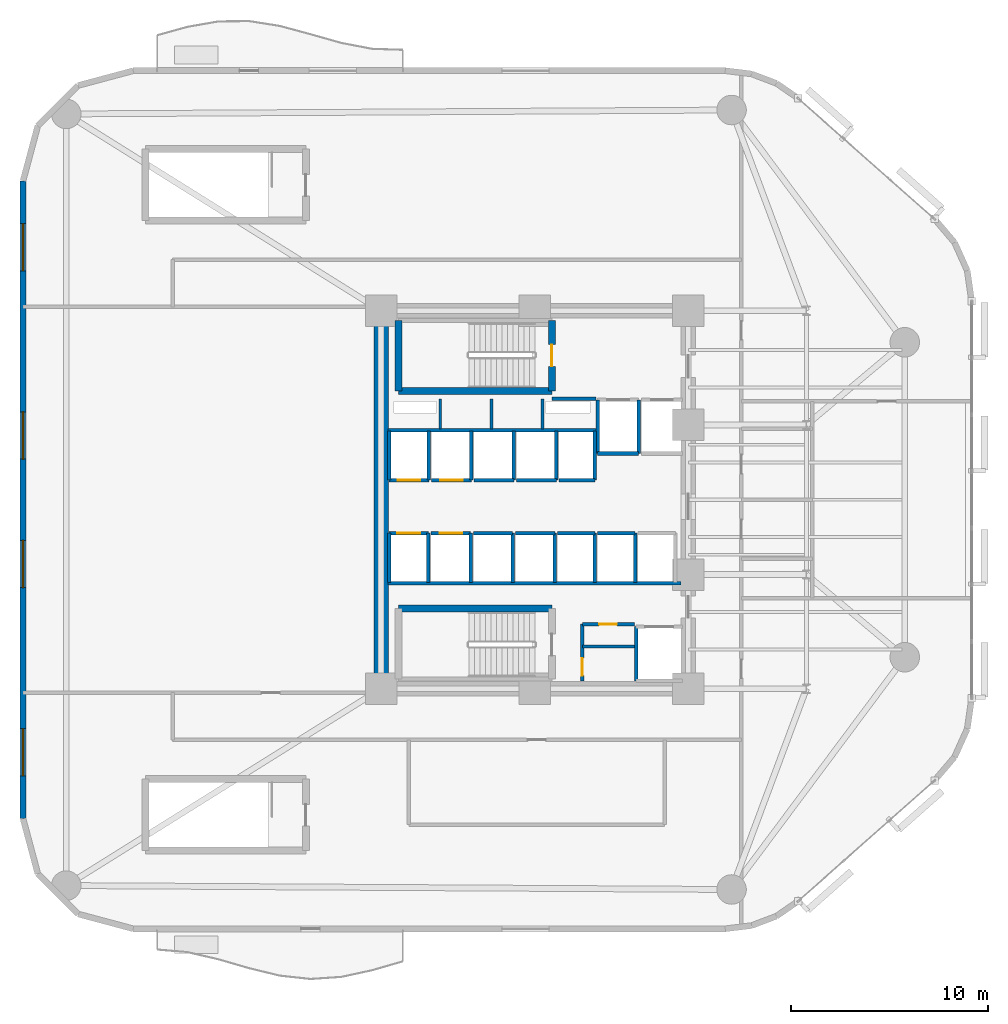
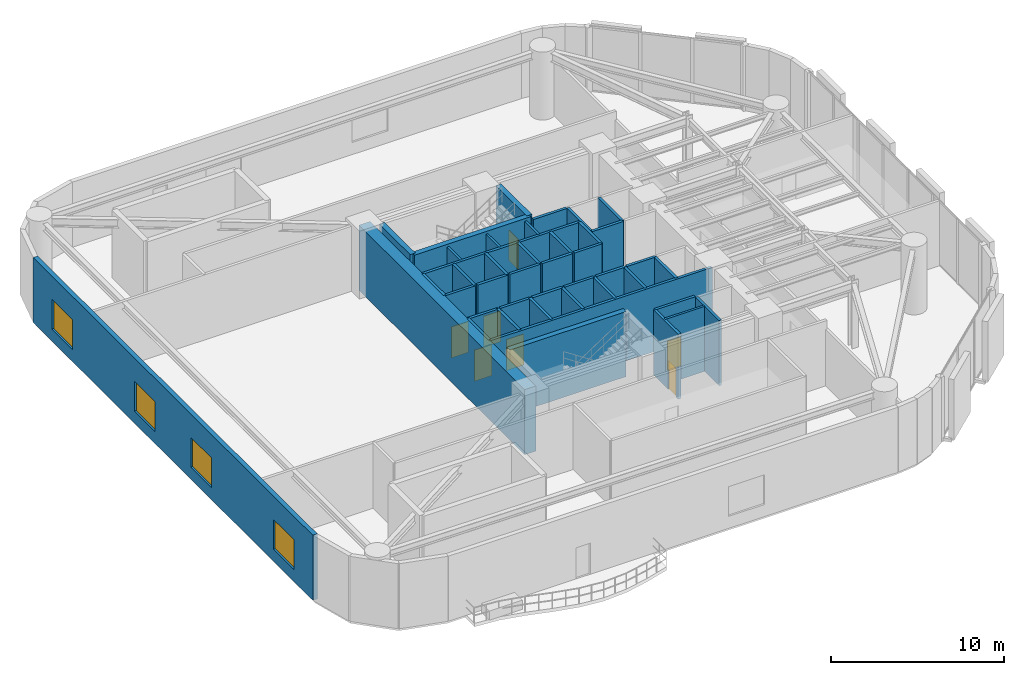
# One storey, part 9 of 13: 43 walls, 7 doors, 4 windows, 11 openings.
"""IFC4 building model written with IfcOpenShell, lengths in metres."""

from ifc_helpers import new_model, si_unit, direction, frame, frame_2d, origin, place, context, subcontext, project, spatial, rectangle, extrude, material, layer, layer_set, type_object, element, fill, save


model = new_model("IFC4")

# Units and contexts
model_context = context("Model", 3, precision=1e-05, world=origin(), true_north=direction((0.0, 1.0)))
body_context = subcontext(model_context, "Body", "Model", "MODEL_VIEW")
ifc_project = project(units=[si_unit("LENGTHUNIT", "METRE"), si_unit("AREAUNIT", "SQUARE_METRE"), si_unit("VOLUMEUNIT", "CUBIC_METRE"), si_unit("PLANEANGLEUNIT", "RADIAN"), si_unit("MASSUNIT", "GRAM", prefix="KILO")], contexts=[model_context])

# Site, building, storey
site_placement = place(None, origin())
site = spatial("IfcSite", under=ifc_project, at=site_placement, CompositionType="ELEMENT")
building_placement = place(site_placement, origin())
building = spatial("IfcBuilding", under=site, at=building_placement, Name="An Khanh Terracotta Commons", CompositionType="ELEMENT")
storey_placement = place(building_placement, frame((0.0, 0.0, 24.0)))
storey = spatial("IfcBuildingStorey", under=building, at=storey_placement, Name="L06", CompositionType="ELEMENT", Elevation=24.0)

# Walls
ifc_material_1 = material(Name="Concrete C70/85", Category="concrete")
ifc_layer_1 = layer(ifc_material_1, 0.75, Name="Concrete C70/85")
ifc_layer_set_1 = layer_set([ifc_layer_1], Name="Concrete C70/85")
wall_type_1 = type_object("IfcWallType", Name="WALL-CORE-750", PredefinedType="SHEAR", material=ifc_layer_set_1)
wall_1_placement = place(storey_placement, frame((21.60009765625, 14.39990234375, 0.0), z_axis=(0.0, 0.0, 1.0), x_axis=(0.0, 1.0, 0.0)))
element("IfcWall", 1, at=wall_1_placement, inside=storey, type_object=wall_type_1, Name="L06 Core Wall CWALL-L06-W", PredefinedType="SHEAR", context=body_context, shape_type="SweptSolid", body=[
    extrude(rectangle(XDim=19.2001953125, YDim=0.75, at=frame_2d((9.60009765625, 0.0))), origin(), (0.0, 0.0, 1.0), 4.60009765625),
])
ifc_material_2 = material(Name="Fire-Rated Gypsum Board on Steel Stud", Category="steel")
ifc_layer_2 = layer(ifc_material_2, 0.179931640625, Name="Fire-Rated Gypsum Board on Steel Stud")
ifc_layer_set_2 = layer_set([ifc_layer_2], Name="Fire-Rated Gypsum Board on Steel Stud")
wall_type_2 = type_object("IfcWallType", Name="WALL-CORR-180", PredefinedType="PARTITIONING", material=ifc_layer_set_2)
wall_2_placement = place(storey_placement, frame((30.27001953125, 29.1201171875, 0.0), z_axis=(0.0, 0.0, 1.0), x_axis=(1.0, 0.0, 0.0)))
element("IfcWall", 2, at=wall_2_placement, inside=storey, type_object=wall_type_2, Name="L06 Core Wall FFLW-L06-S", PredefinedType="PARTITIONING", context=body_context, shape_type="SweptSolid", body=[
    extrude(rectangle(XDim=2.239990234375, YDim=0.179931640625, at=frame_2d((1.1201171875, 0.0))), origin(), (0.0, 0.0, 1.0), 4.60009765625),
])
wall_3_placement = place(storey_placement, frame((21.949951171875, 27.5400390625, 0.0), z_axis=(0.0, 0.0, 1.0), x_axis=(1.0, 0.0, 0.0)))
element("IfcWall", 3, at=wall_3_placement, inside=storey, type_object=wall_type_2, Name="L06 Core Wall RSRW-L06-S", PredefinedType="PARTITIONING", context=body_context, shape_type="SweptSolid", body=[
    extrude(rectangle(XDim=10.56005859375, YDim=0.179931640625, at=frame_2d((5.280029296875, 0.0))), origin(), (0.0, 0.0, 1.0), 4.60009765625),
])
wall_4_placement = place(storey_placement, frame((21.949951171875, 19.760009765625, 0.0), z_axis=(0.0, 0.0, 1.0), x_axis=(1.0, 0.0, 0.0)))
element("IfcWall", 4, at=wall_4_placement, inside=storey, type_object=wall_type_2, Name="L06 Core Wall SVW-L06-N", PredefinedType="PARTITIONING", context=body_context, shape_type="SweptSolid", body=[
    extrude(rectangle(XDim=14.8701171875, YDim=0.179931640625, at=frame_2d((7.43505859375, 0.0))), origin(), (0.0, 0.0, 1.0), 4.60009765625),
])

# Wall, opening, door
wall_5_placement = place(storey_placement, frame((31.820068359375, 17.679931640625, 0.0), z_axis=(0.0, 0.0, 1.0), x_axis=(1.0, 0.0, 0.0)))
wall_5 = element("IfcWall", 5, at=wall_5_placement, inside=storey, type_object=wall_type_2, Name="L06 Core Wall SSVCW-L06-N", PredefinedType="PARTITIONING", context=body_context, shape_type="SweptSolid", body=[
    extrude(rectangle(XDim=2.659912109375, YDim=0.179931640625, at=frame_2d((1.330078125, 0.0))), origin(), (0.0, 0.0, 1.0), 4.60009765625),
])
opening_1_placement = place(wall_5_placement, frame((0.85009765625, 0.0, 0.0)))
opening_1 = element("IfcOpeningElement", 6, at=opening_1_placement, cuts=wall_5, Name="Opening D-SV", PredefinedType="OPENING", context=body_context, shape_type="SweptSolid", body=[
    extrude(rectangle(XDim=0.89990234375, YDim=2.050048828125, at=frame_2d((0.449951171875, 1.02490234375))), frame((0.0, 0.099853515625, 0.0), z_axis=(0.0, -1.0, 0.0), x_axis=(1.0, 0.0, 0.0)), (0.0, 0.0, 1.0), 0.199951171875),
])
ifc_material_3 = material(Name="Fire-Rated Powder-Coated Steel Door", Category="steel")
door_type_1 = type_object("IfcDoorType", Name="DOOR-SERV-900", OperationType="NOTDEFINED", PredefinedType="DOOR", material=ifc_material_3)
door_1_placement = place(opening_1_placement, origin())
door_1 = element("IfcDoor", 7, at=door_1_placement, inside=storey, type_object=door_type_1, Name="L06 Core Cleaner Store Door", OperationType="SINGLE_SWING_LEFT", OverallHeight=2.050048828125, OverallWidth=0.89990234375, PredefinedType="DOOR", context=body_context, shape_type="SweptSolid", body=[
    extrude(rectangle(XDim=0.89990234375, YDim=2.050048828125, at=frame_2d((0.449951171875, 1.02490234375))), frame((0.0, 0.02490234375, 0.0), z_axis=(0.0, -1.0, 0.0), x_axis=(1.0, 0.0, 0.0)), (0.0, 0.0, 1.0), 0.050048828125),
])
fill(opening_1, door_1)

wall_6_placement = place(storey_placement, frame((31.820068359375, 14.800048828125, 0.0), z_axis=(0.0, 0.0, 1.0), x_axis=(0.0, 1.0, 0.0)))
wall_6 = element("IfcWall", 8, at=wall_6_placement, inside=storey, type_object=wall_type_2, Name="L06 Core Wall SSVCW-L06-W", PredefinedType="PARTITIONING", context=body_context, shape_type="SweptSolid", body=[
    extrude(rectangle(XDim=2.8798828125, YDim=0.179931640625, at=frame_2d((1.43994140625, 0.0))), origin(), (0.0, 0.0, 1.0), 4.60009765625),
])
opening_2_placement = place(wall_6_placement, frame((0.260009765625, 0.0, 0.0)))
opening_2 = element("IfcOpeningElement", 9, at=opening_2_placement, cuts=wall_6, Name="Opening D-SV", PredefinedType="OPENING", context=body_context, shape_type="SweptSolid", body=[
    extrude(rectangle(XDim=0.89990234375, YDim=2.050048828125, at=frame_2d((0.449951171875, 1.02490234375))), frame((0.0, 0.099853515625, 0.0), z_axis=(0.0, -1.0, 0.0), x_axis=(1.0, 0.0, 0.0)), (0.0, 0.0, 1.0), 0.199951171875),
])
door_2_placement = place(opening_2_placement, origin())
door_2 = element("IfcDoor", 10, at=door_2_placement, inside=storey, type_object=door_type_1, Name="L06 Telecoms BMS Cupboard Door", OperationType="SINGLE_SWING_RIGHT", OverallHeight=2.050048828125, OverallWidth=0.89990234375, PredefinedType="DOOR", context=body_context, shape_type="SweptSolid", body=[
    extrude(rectangle(XDim=0.89990234375, YDim=2.050048828125, at=frame_2d((0.449951171875, 1.02490234375))), frame((0.0, 0.02490234375, 0.0), z_axis=(0.0, -1.0, 0.0), x_axis=(1.0, 0.0, 0.0)), (0.0, 0.0, 1.0), 0.050048828125),
])
fill(opening_2, door_2)

# Walls
wall_7_placement = place(storey_placement, frame((34.679931640625, 26.35009765625, 0.0), z_axis=(0.0, 0.0, 1.0), x_axis=(-1.0, 0.0, 0.0)))
element("IfcWall", 11, at=wall_7_placement, inside=storey, type_object=wall_type_2, Name="L06 Core Wall LSH-L06-FFL-01-S", PredefinedType="PARTITIONING", context=body_context, shape_type="SweptSolid", body=[
    extrude(rectangle(XDim=2.079833984375, YDim=0.179931640625, at=frame_2d((1.0400390625, 0.0))), origin(), (0.0, 0.0, 1.0), 4.60009765625),
])
for number, where, z_axis, x_axis, name in (
    (12, (34.679931640625, 26.35009765625, 0.0), (0.0, 0.0, 1.0), (0.0, 1.0, 0.0), "L06 Core Wall LSH-L06-FFL-01-E"),
    (13, (32.60009765625, 29.080078125, 0.0), (0.0, 0.0, 1.0), (0.0, -1.0, 0.0), "L06 Core Wall LSH-L06-FFL-01-W"),
):
    element("IfcWall", number, at=place(storey_placement, frame(where, z_axis=z_axis, x_axis=x_axis)), inside=storey, type_object=wall_type_2, Name=name, PredefinedType="PARTITIONING", context=body_context, shape_type="SweptSolid", body=[
        extrude(rectangle(XDim=2.72998046875, YDim=0.179931640625, at=frame_2d((1.364990234375, 0.0))), origin(), (0.0, 0.0, 1.0), 4.60009765625),
    ])
wall_8_placement = place(storey_placement, frame((34.550048828125, 17.550048828125, 0.0), z_axis=(0.0, 0.0, 1.0), x_axis=(0.0, -1.0, 0.0)))
element("IfcWall", 14, at=wall_8_placement, inside=storey, type_object=wall_type_2, Name="L06 Core Wall LSH-L06-SVL-01-W", PredefinedType="PARTITIONING", context=body_context, shape_type="SweptSolid", body=[
    extrude(rectangle(XDim=2.75, YDim=0.179931640625, at=frame_2d((1.375, 0.0))), origin(), (0.0, 0.0, 1.0), 4.60009765625),
])

# Wall, opening, door
wall_9_placement = place(storey_placement, frame((24.02001953125, 25.0, 0.0), z_axis=(0.0, 0.0, 1.0), x_axis=(-1.0, 0.0, 0.0)))
wall_9 = element("IfcWall", 15, at=wall_9_placement, inside=storey, type_object=wall_type_2, Name="L06 Core Wall LSH-L06-PL-L1-S", PredefinedType="PARTITIONING", context=body_context, shape_type="SweptSolid", body=[
    extrude(rectangle(XDim=2.02001953125, YDim=0.179931640625, at=frame_2d((1.010009765625, 0.0))), origin(), (0.0, 0.0, 1.0), 4.60009765625),
])
opening_3_placement = place(wall_9_placement, frame((0.43505859375, 0.0, 0.0)))
opening_3 = element("IfcOpeningElement", 16, at=opening_3_placement, cuts=wall_9, Name="Opening LD-PL-L1-L06", PredefinedType="OPENING", context=body_context, shape_type="SweptSolid", body=[
    extrude(rectangle(XDim=1.14990234375, YDim=2.199951171875, at=frame_2d((0.574951171875, 1.10009765625))), frame((0.0, 0.099853515625, 0.0), z_axis=(0.0, -1.0, 0.0), x_axis=(1.0, 0.0, 0.0)), (0.0, 0.0, 1.0), 0.199951171875),
])
ifc_material_4 = material(Name="Brushed Stainless Steel Passenger Landing Door", Category="steel")
door_type_2 = type_object("IfcDoorType", Name="DOOR-LD-PAX-1150", OperationType="NOTDEFINED", PredefinedType="DOOR", material=ifc_material_4)
door_3_placement = place(opening_3_placement, origin())
door_3 = element("IfcDoor", 17, at=door_3_placement, inside=storey, type_object=door_type_2, Name="L06 Lift PL-L1 Sliding Landing Door", OperationType="DOUBLE_DOOR_SLIDING", OverallHeight=2.199951171875, OverallWidth=1.14990234375, PredefinedType="DOOR", context=body_context, shape_type="SweptSolid", body=[
    extrude(rectangle(XDim=1.14990234375, YDim=2.199951171875, at=frame_2d((0.574951171875, 1.10009765625))), frame((0.0, 0.02490234375, 0.0), z_axis=(0.0, -1.0, 0.0), x_axis=(1.0, 0.0, 0.0)), (0.0, 0.0, 1.0), 0.050048828125),
])
fill(opening_3, door_3)

# Walls
for number, where, z_axis, x_axis, name in (
    (18, (24.02001953125, 25.0, 0.0), (0.0, 0.0, 1.0), (0.0, 1.0, 0.0), "L06 Core Wall LSH-L06-PL-L1-E"),
    (19, (22.0, 27.5, 0.0), (0.0, 0.0, 1.0), (0.0, -1.0, 0.0), "L06 Core Wall LSH-L06-PL-L1-W"),
):
    element("IfcWall", number, at=place(storey_placement, frame(where, z_axis=z_axis, x_axis=x_axis)), inside=storey, type_object=wall_type_2, Name=name, PredefinedType="PARTITIONING", context=body_context, shape_type="SweptSolid", body=[
        extrude(rectangle(XDim=2.5, YDim=0.179931640625, at=frame_2d((1.25, 0.0))), origin(), (0.0, 0.0, 1.0), 4.60009765625),
    ])

# Wall, opening, door
wall_10_placement = place(storey_placement, frame((26.179931640625, 25.0, 0.0), z_axis=(0.0, 0.0, 1.0), x_axis=(-1.0, 0.0, 0.0)))
wall_10 = element("IfcWall", 20, at=wall_10_placement, inside=storey, type_object=wall_type_2, Name="L06 Core Wall LSH-L06-PL-L2-S", PredefinedType="PARTITIONING", context=body_context, shape_type="SweptSolid", body=[
    extrude(rectangle(XDim=2.02001953125, YDim=0.179931640625, at=frame_2d((1.010009765625, 0.0))), origin(), (0.0, 0.0, 1.0), 4.60009765625),
])
opening_4_placement = place(wall_10_placement, frame((0.43505859375, 0.0, 0.0)))
opening_4 = element("IfcOpeningElement", 21, at=opening_4_placement, cuts=wall_10, Name="Opening LD-PL-L2-L06", PredefinedType="OPENING", context=body_context, shape_type="SweptSolid", body=[
    extrude(rectangle(XDim=1.14990234375, YDim=2.199951171875, at=frame_2d((0.574951171875, 1.10009765625))), frame((0.0, 0.099853515625, 0.0), z_axis=(0.0, -1.0, 0.0), x_axis=(1.0, 0.0, 0.0)), (0.0, 0.0, 1.0), 0.199951171875),
])
door_4_placement = place(opening_4_placement, origin())
door_4 = element("IfcDoor", 22, at=door_4_placement, inside=storey, type_object=door_type_2, Name="L06 Lift PL-L2 Sliding Landing Door", OperationType="DOUBLE_DOOR_SLIDING", OverallHeight=2.199951171875, OverallWidth=1.14990234375, PredefinedType="DOOR", context=body_context, shape_type="SweptSolid", body=[
    extrude(rectangle(XDim=1.14990234375, YDim=2.199951171875, at=frame_2d((0.574951171875, 1.10009765625))), frame((0.0, 0.02490234375, 0.0), z_axis=(0.0, -1.0, 0.0), x_axis=(1.0, 0.0, 0.0)), (0.0, 0.0, 1.0), 0.050048828125),
])
fill(opening_4, door_4)

# Wall
wall_11_placement = place(storey_placement, frame((26.179931640625, 25.0, 0.0), z_axis=(0.0, 0.0, 1.0), x_axis=(0.0, 1.0, 0.0)))
element("IfcWall", 23, at=wall_11_placement, inside=storey, type_object=wall_type_2, Name="L06 Core Wall LSH-L06-PL-L2-E", PredefinedType="PARTITIONING", context=body_context, shape_type="SweptSolid", body=[
    extrude(rectangle(XDim=2.5, YDim=0.179931640625, at=frame_2d((1.25, 0.0))), origin(), (0.0, 0.0, 1.0), 4.60009765625),
])

# Wall, opening, door
wall_12_placement = place(storey_placement, frame((22.0, 22.300048828125, 0.0), z_axis=(0.0, 0.0, 1.0), x_axis=(1.0, 0.0, 0.0)))
wall_12 = element("IfcWall", 24, at=wall_12_placement, inside=storey, type_object=wall_type_2, Name="L06 Core Wall LSH-L06-PL-L3-N", PredefinedType="PARTITIONING", context=body_context, shape_type="SweptSolid", body=[
    extrude(rectangle(XDim=2.0, YDim=0.179931640625, at=frame_2d((1.0, 0.0))), origin(), (0.0, 0.0, 1.0), 4.60009765625),
])
opening_5_placement = place(wall_12_placement, frame((0.425048828125, 0.0, 0.0)))
opening_5 = element("IfcOpeningElement", 25, at=opening_5_placement, cuts=wall_12, Name="Opening LD-PL-L3-L06", PredefinedType="OPENING", context=body_context, shape_type="SweptSolid", body=[
    extrude(rectangle(XDim=1.14990234375, YDim=2.199951171875, at=frame_2d((0.574951171875, 1.10009765625))), frame((0.0, 0.099853515625, 0.0), z_axis=(0.0, -1.0, 0.0), x_axis=(1.0, 0.0, 0.0)), (0.0, 0.0, 1.0), 0.199951171875),
])
door_5_placement = place(opening_5_placement, origin())
door_5 = element("IfcDoor", 26, at=door_5_placement, inside=storey, type_object=door_type_2, Name="L06 Lift PL-L3 Sliding Landing Door", OperationType="DOUBLE_DOOR_SLIDING", OverallHeight=2.199951171875, OverallWidth=1.14990234375, PredefinedType="DOOR", context=body_context, shape_type="SweptSolid", body=[
    extrude(rectangle(XDim=1.14990234375, YDim=2.199951171875, at=frame_2d((0.574951171875, 1.10009765625))), frame((0.0, 0.02490234375, 0.0), z_axis=(0.0, -1.0, 0.0), x_axis=(1.0, 0.0, 0.0)), (0.0, 0.0, 1.0), 0.050048828125),
])
fill(opening_5, door_5)

# Walls
for number, where, z_axis, x_axis, name in (
    (27, (24.0, 19.800048828125, 0.0), (0.0, 0.0, 1.0), (0.0, 1.0, 0.0), "L06 Core Wall LSH-L06-PL-L3-E"),
    (28, (22.0, 22.300048828125, 0.0), (0.0, 0.0, 1.0), (0.0, -1.0, 0.0), "L06 Core Wall LSH-L06-PL-L3-W"),
):
    element("IfcWall", number, at=place(storey_placement, frame(where, z_axis=z_axis, x_axis=x_axis)), inside=storey, type_object=wall_type_2, Name=name, PredefinedType="PARTITIONING", context=body_context, shape_type="SweptSolid", body=[
        extrude(rectangle(XDim=2.5, YDim=0.179931640625, at=frame_2d((1.25, 0.0))), origin(), (0.0, 0.0, 1.0), 4.60009765625),
    ])

# Wall, opening, door
wall_13_placement = place(storey_placement, frame((24.139892578125, 22.300048828125, 0.0), z_axis=(0.0, 0.0, 1.0), x_axis=(1.0, 0.0, 0.0)))
wall_13 = element("IfcWall", 29, at=wall_13_placement, inside=storey, type_object=wall_type_2, Name="L06 Core Wall LSH-L06-PL-L4-N", PredefinedType="PARTITIONING", context=body_context, shape_type="SweptSolid", body=[
    extrude(rectangle(XDim=2.0, YDim=0.179931640625, at=frame_2d((1.0, 0.0))), origin(), (0.0, 0.0, 1.0), 4.60009765625),
])
opening_6_placement = place(wall_13_placement, frame((0.425048828125, 0.0, 0.0)))
opening_6 = element("IfcOpeningElement", 30, at=opening_6_placement, cuts=wall_13, Name="Opening LD-PL-L4-L06", PredefinedType="OPENING", context=body_context, shape_type="SweptSolid", body=[
    extrude(rectangle(XDim=1.14990234375, YDim=2.199951171875, at=frame_2d((0.574951171875, 1.10009765625))), frame((0.0, 0.099853515625, 0.0), z_axis=(0.0, -1.0, 0.0), x_axis=(1.0, 0.0, 0.0)), (0.0, 0.0, 1.0), 0.199951171875),
])
door_6_placement = place(opening_6_placement, origin())
door_6 = element("IfcDoor", 31, at=door_6_placement, inside=storey, type_object=door_type_2, Name="L06 Lift PL-L4 Sliding Landing Door", OperationType="DOUBLE_DOOR_SLIDING", OverallHeight=2.199951171875, OverallWidth=1.14990234375, PredefinedType="DOOR", context=body_context, shape_type="SweptSolid", body=[
    extrude(rectangle(XDim=1.14990234375, YDim=2.199951171875, at=frame_2d((0.574951171875, 1.10009765625))), frame((0.0, 0.02490234375, 0.0), z_axis=(0.0, -1.0, 0.0), x_axis=(1.0, 0.0, 0.0)), (0.0, 0.0, 1.0), 0.050048828125),
])
fill(opening_6, door_6)

# Walls
wall_14_placement = place(storey_placement, frame((26.139892578125, 19.800048828125, 0.0), z_axis=(0.0, 0.0, 1.0), x_axis=(0.0, 1.0, 0.0)))
element("IfcWall", 32, at=wall_14_placement, inside=storey, type_object=wall_type_2, Name="L06 Core Wall LSH-L06-PL-L4-E", PredefinedType="PARTITIONING", context=body_context, shape_type="SweptSolid", body=[
    extrude(rectangle(XDim=2.5, YDim=0.179931640625, at=frame_2d((1.25, 0.0))), origin(), (0.0, 0.0, 1.0), 4.60009765625),
])
wall_15_placement = place(storey_placement, frame((28.340087890625, 25.0, 0.0), z_axis=(0.0, 0.0, 1.0), x_axis=(-1.0, 0.0, 0.0)))
element("IfcWall", 33, at=wall_15_placement, inside=storey, type_object=wall_type_2, Name="L06 Core Wall LSH-L06-PL-M1-S", PredefinedType="PARTITIONING", context=body_context, shape_type="SweptSolid", body=[
    extrude(rectangle(XDim=2.02001953125, YDim=0.179931640625, at=frame_2d((1.010009765625, 0.0))), origin(), (0.0, 0.0, 1.0), 4.60009765625),
])
wall_16_placement = place(storey_placement, frame((28.340087890625, 25.0, 0.0), z_axis=(0.0, 0.0, 1.0), x_axis=(0.0, 1.0, 0.0)))
element("IfcWall", 34, at=wall_16_placement, inside=storey, type_object=wall_type_2, Name="L06 Core Wall LSH-L06-PL-M1-E", PredefinedType="PARTITIONING", context=body_context, shape_type="SweptSolid", body=[
    extrude(rectangle(XDim=2.5, YDim=0.179931640625, at=frame_2d((1.25, 0.0))), origin(), (0.0, 0.0, 1.0), 4.60009765625),
])
wall_17_placement = place(storey_placement, frame((30.5, 25.0, 0.0), z_axis=(0.0, 0.0, 1.0), x_axis=(-1.0, 0.0, 0.0)))
element("IfcWall", 35, at=wall_17_placement, inside=storey, type_object=wall_type_2, Name="L06 Core Wall LSH-L06-PL-M2-S", PredefinedType="PARTITIONING", context=body_context, shape_type="SweptSolid", body=[
    extrude(rectangle(XDim=2.02001953125, YDim=0.179931640625, at=frame_2d((1.010009765625, 0.0))), origin(), (0.0, 0.0, 1.0), 4.60009765625),
])
wall_18_placement = place(storey_placement, frame((30.5, 25.0, 0.0), z_axis=(0.0, 0.0, 1.0), x_axis=(0.0, 1.0, 0.0)))
element("IfcWall", 36, at=wall_18_placement, inside=storey, type_object=wall_type_2, Name="L06 Core Wall LSH-L06-PL-M2-E", PredefinedType="PARTITIONING", context=body_context, shape_type="SweptSolid", body=[
    extrude(rectangle(XDim=2.5, YDim=0.179931640625, at=frame_2d((1.25, 0.0))), origin(), (0.0, 0.0, 1.0), 4.60009765625),
])
wall_19_placement = place(storey_placement, frame((26.280029296875, 22.300048828125, 0.0), z_axis=(0.0, 0.0, 1.0), x_axis=(1.0, 0.0, 0.0)))
element("IfcWall", 37, at=wall_19_placement, inside=storey, type_object=wall_type_2, Name="L06 Core Wall LSH-L06-PL-M3-N", PredefinedType="PARTITIONING", context=body_context, shape_type="SweptSolid", body=[
    extrude(rectangle(XDim=2.0, YDim=0.179931640625, at=frame_2d((1.0, 0.0))), origin(), (0.0, 0.0, 1.0), 4.60009765625),
])
wall_20_placement = place(storey_placement, frame((28.280029296875, 19.800048828125, 0.0), z_axis=(0.0, 0.0, 1.0), x_axis=(0.0, 1.0, 0.0)))
element("IfcWall", 38, at=wall_20_placement, inside=storey, type_object=wall_type_2, Name="L06 Core Wall LSH-L06-PL-M3-E", PredefinedType="PARTITIONING", context=body_context, shape_type="SweptSolid", body=[
    extrude(rectangle(XDim=2.5, YDim=0.179931640625, at=frame_2d((1.25, 0.0))), origin(), (0.0, 0.0, 1.0), 4.60009765625),
])
wall_21_placement = place(storey_placement, frame((28.419921875, 22.300048828125, 0.0), z_axis=(0.0, 0.0, 1.0), x_axis=(1.0, 0.0, 0.0)))
element("IfcWall", 39, at=wall_21_placement, inside=storey, type_object=wall_type_2, Name="L06 Core Wall LSH-L06-PL-M4-N", PredefinedType="PARTITIONING", context=body_context, shape_type="SweptSolid", body=[
    extrude(rectangle(XDim=2.0, YDim=0.179931640625, at=frame_2d((1.0, 0.0))), origin(), (0.0, 0.0, 1.0), 4.60009765625),
])
wall_22_placement = place(storey_placement, frame((30.419921875, 19.800048828125, 0.0), z_axis=(0.0, 0.0, 1.0), x_axis=(0.0, 1.0, 0.0)))
element("IfcWall", 40, at=wall_22_placement, inside=storey, type_object=wall_type_2, Name="L06 Core Wall LSH-L06-PL-M4-E", PredefinedType="PARTITIONING", context=body_context, shape_type="SweptSolid", body=[
    extrude(rectangle(XDim=2.5, YDim=0.179931640625, at=frame_2d((1.25, 0.0))), origin(), (0.0, 0.0, 1.0), 4.60009765625),
])
wall_23_placement = place(storey_placement, frame((32.4599609375, 25.0, 0.0), z_axis=(0.0, 0.0, 1.0), x_axis=(-1.0, 0.0, 0.0)))
element("IfcWall", 41, at=wall_23_placement, inside=storey, type_object=wall_type_2, Name="L06 Core Wall LSH-L06-PL-H1-S", PredefinedType="PARTITIONING", context=body_context, shape_type="SweptSolid", body=[
    extrude(rectangle(XDim=1.820068359375, YDim=0.179931640625, at=frame_2d((0.91015625, 0.0))), origin(), (0.0, 0.0, 1.0), 4.60009765625),
])
wall_24_placement = place(storey_placement, frame((32.4599609375, 25.0, 0.0), z_axis=(0.0, 0.0, 1.0), x_axis=(0.0, 1.0, 0.0)))
element("IfcWall", 42, at=wall_24_placement, inside=storey, type_object=wall_type_2, Name="L06 Core Wall LSH-L06-PL-H1-E", PredefinedType="PARTITIONING", context=body_context, shape_type="SweptSolid", body=[
    extrude(rectangle(XDim=2.5, YDim=0.179931640625, at=frame_2d((1.25, 0.0))), origin(), (0.0, 0.0, 1.0), 4.60009765625),
])
wall_25_placement = place(storey_placement, frame((30.56005859375, 22.300048828125, 0.0), z_axis=(0.0, 0.0, 1.0), x_axis=(1.0, 0.0, 0.0)))
element("IfcWall", 43, at=wall_25_placement, inside=storey, type_object=wall_type_2, Name="L06 Core Wall LSH-L06-PL-H2-N", PredefinedType="PARTITIONING", context=body_context, shape_type="SweptSolid", body=[
    extrude(rectangle(XDim=1.89990234375, YDim=0.179931640625, at=frame_2d((0.949951171875, 0.0))), origin(), (0.0, 0.0, 1.0), 4.60009765625),
])
wall_26_placement = place(storey_placement, frame((32.4599609375, 19.800048828125, 0.0), z_axis=(0.0, 0.0, 1.0), x_axis=(0.0, 1.0, 0.0)))
element("IfcWall", 44, at=wall_26_placement, inside=storey, type_object=wall_type_2, Name="L06 Core Wall LSH-L06-PL-H2-E", PredefinedType="PARTITIONING", context=body_context, shape_type="SweptSolid", body=[
    extrude(rectangle(XDim=2.5, YDim=0.179931640625, at=frame_2d((1.25, 0.0))), origin(), (0.0, 0.0, 1.0), 4.60009765625),
])
wall_27_placement = place(storey_placement, frame((32.60009765625, 22.300048828125, 0.0), z_axis=(0.0, 0.0, 1.0), x_axis=(1.0, 0.0, 0.0)))
element("IfcWall", 45, at=wall_27_placement, inside=storey, type_object=wall_type_2, Name="L06 Core Wall LSH-L06-PL-H3-N", PredefinedType="PARTITIONING", context=body_context, shape_type="SweptSolid", body=[
    extrude(rectangle(XDim=1.89990234375, YDim=0.179931640625, at=frame_2d((0.949951171875, 0.0))), origin(), (0.0, 0.0, 1.0), 4.60009765625),
])
wall_28_placement = place(storey_placement, frame((34.5, 19.800048828125, 0.0), z_axis=(0.0, 0.0, 1.0), x_axis=(0.0, 1.0, 0.0)))
element("IfcWall", 46, at=wall_28_placement, inside=storey, type_object=wall_type_2, Name="L06 Core Wall LSH-L06-PL-H3-E", PredefinedType="PARTITIONING", context=body_context, shape_type="SweptSolid", body=[
    extrude(rectangle(XDim=2.5, YDim=0.179931640625, at=frame_2d((1.25, 0.0))), origin(), (0.0, 0.0, 1.0), 4.60009765625),
])

# Wall, openings, windows
ifc_material_5 = material(Name="Precast concrete C40/50", Category="concrete")
ifc_layer_3 = layer(ifc_material_5, 0.300048828125, Name="Precast concrete C40/50")
ifc_layer_set_3 = layer_set([ifc_layer_3], Name="Precast concrete C40/50")
wall_type_3 = type_object("IfcWallType", Name="WALL-EXT-300", PredefinedType="SOLIDWALL", material=ifc_layer_set_3)
wall_29_placement = place(storey_placement, frame((3.39990234375, 40.199951171875, 0.0), z_axis=(0.0, 0.0, 1.0), x_axis=(0.0, -1.0, 0.0)))
wall_29 = element("IfcWall", 47, at=wall_29_placement, inside=storey, type_object=wall_type_3, Name="L06 Insulated Terracotta Exterior Wall 24", PredefinedType="SOLIDWALL", context=body_context, shape_type="SweptSolid", body=[
    extrude(rectangle(XDim=32.39990234375, YDim=0.300048828125, at=frame_2d((16.199951171875, 0.0))), origin(), (0.0, 0.0, 1.0), 4.60009765625),
])
opening_7_placement = place(wall_29_placement, frame((2.175048828125, 0.0, 0.85009765625)))
opening_7 = element("IfcOpeningElement", 48, at=opening_7_placement, cuts=wall_29, Name="Opening W-07", PredefinedType="OPENING", context=body_context, shape_type="SweptSolid", body=[
    extrude(rectangle(XDim=2.39990234375, YDim=2.10009765625, at=frame_2d((1.199951171875, 1.050048828125))), frame((0.0, 0.159912109375, 0.0), z_axis=(0.0, -1.0, 0.0), x_axis=(1.0, 0.0, 0.0)), (0.0, 0.0, 1.0), 0.320068359375),
])
opening_8_placement = place(wall_29_placement, frame((11.73291015625, 0.0, 0.85009765625)))
opening_8 = element("IfcOpeningElement", 49, at=opening_8_placement, cuts=wall_29, Name="Opening W-07", PredefinedType="OPENING", context=body_context, shape_type="SweptSolid", body=[
    extrude(rectangle(XDim=2.39990234375, YDim=2.10009765625, at=frame_2d((1.199951171875, 1.050048828125))), frame((0.0, 0.159912109375, 0.0), z_axis=(0.0, -1.0, 0.0), x_axis=(1.0, 0.0, 0.0)), (0.0, 0.0, 1.0), 0.320068359375),
])
opening_9_placement = place(wall_29_placement, frame((18.26708984375, 0.0, 0.85009765625)))
opening_9 = element("IfcOpeningElement", 50, at=opening_9_placement, cuts=wall_29, Name="Opening W-07", PredefinedType="OPENING", context=body_context, shape_type="SweptSolid", body=[
    extrude(rectangle(XDim=2.39990234375, YDim=2.10009765625, at=frame_2d((1.199951171875, 1.050048828125))), frame((0.0, 0.159912109375, 0.0), z_axis=(0.0, -1.0, 0.0), x_axis=(1.0, 0.0, 0.0)), (0.0, 0.0, 1.0), 0.320068359375),
])
opening_10_placement = place(wall_29_placement, frame((27.824951171875, 0.0, 0.85009765625)))
opening_10 = element("IfcOpeningElement", 51, at=opening_10_placement, cuts=wall_29, Name="Opening W-07", PredefinedType="OPENING", context=body_context, shape_type="SweptSolid", body=[
    extrude(rectangle(XDim=2.39990234375, YDim=2.10009765625, at=frame_2d((1.199951171875, 1.050048828125))), frame((0.0, 0.159912109375, 0.0), z_axis=(0.0, -1.0, 0.0), x_axis=(1.0, 0.0, 0.0)), (0.0, 0.0, 1.0), 0.320068359375),
])
ifc_material_6 = material(Name="Thermally Broken Aluminium and Low-E Glass", Category="aluminium")
window_type = type_object("IfcWindowType", Name="WIN-SKY-2400x2100", PartitioningType="TRIPLE_PANEL_VERTICAL", PredefinedType="WINDOW", material=ifc_material_6)
window_1_placement = place(opening_7_placement, origin())
window_1 = element("IfcWindow", 52, at=window_1_placement, inside=storey, type_object=window_type, Name="L06 Operable Casement Window 24.1", OverallHeight=2.10009765625, OverallWidth=2.39990234375, PartitioningType="TRIPLE_PANEL_VERTICAL", PredefinedType="WINDOW", context=body_context, shape_type="SweptSolid", body=[
    extrude(rectangle(XDim=2.39990234375, YDim=2.10009765625, at=frame_2d((1.199951171875, 1.050048828125))), frame((0.0, 0.030029296875, 0.0), z_axis=(0.0, -1.0, 0.0), x_axis=(1.0, 0.0, 0.0)), (0.0, 0.0, 1.0), 0.06005859375),
])
fill(opening_7, window_1)
window_2_placement = place(opening_8_placement, origin())
window_2 = element("IfcWindow", 53, at=window_2_placement, inside=storey, type_object=window_type, Name="L06 Operable Casement Window 24.2", OverallHeight=2.10009765625, OverallWidth=2.39990234375, PartitioningType="TRIPLE_PANEL_VERTICAL", PredefinedType="WINDOW", context=body_context, shape_type="SweptSolid", body=[
    extrude(rectangle(XDim=2.39990234375, YDim=2.10009765625, at=frame_2d((1.199951171875, 1.050048828125))), frame((0.0, 0.030029296875, 0.0), z_axis=(0.0, -1.0, 0.0), x_axis=(1.0, 0.0, 0.0)), (0.0, 0.0, 1.0), 0.06005859375),
])
fill(opening_8, window_2)
window_3_placement = place(opening_9_placement, origin())
window_3 = element("IfcWindow", 54, at=window_3_placement, inside=storey, type_object=window_type, Name="L06 Operable Casement Window 24.3", OverallHeight=2.10009765625, OverallWidth=2.39990234375, PartitioningType="TRIPLE_PANEL_VERTICAL", PredefinedType="WINDOW", context=body_context, shape_type="SweptSolid", body=[
    extrude(rectangle(XDim=2.39990234375, YDim=2.10009765625, at=frame_2d((1.199951171875, 1.050048828125))), frame((0.0, 0.030029296875, 0.0), z_axis=(0.0, -1.0, 0.0), x_axis=(1.0, 0.0, 0.0)), (0.0, 0.0, 1.0), 0.06005859375),
])
fill(opening_9, window_3)
window_4_placement = place(opening_10_placement, origin())
window_4 = element("IfcWindow", 55, at=window_4_placement, inside=storey, type_object=window_type, Name="L06 Operable Casement Window 24.4", OverallHeight=2.10009765625, OverallWidth=2.39990234375, PartitioningType="TRIPLE_PANEL_VERTICAL", PredefinedType="WINDOW", context=body_context, shape_type="SweptSolid", body=[
    extrude(rectangle(XDim=2.39990234375, YDim=2.10009765625, at=frame_2d((1.199951171875, 1.050048828125))), frame((0.0, 0.030029296875, 0.0), z_axis=(0.0, -1.0, 0.0), x_axis=(1.0, 0.0, 0.0)), (0.0, 0.0, 1.0), 0.06005859375),
])
fill(opening_10, window_4)

# Walls
ifc_material_7 = material(Name="Acoustic Gypsum Board Partition")
ifc_layer_4 = layer(ifc_material_7, 0.14990234375, Name="Acoustic Gypsum Board Partition")
ifc_layer_set_4 = layer_set([ifc_layer_4], Name="Acoustic Gypsum Board Partition")
wall_type_4 = type_object("IfcWallType", Name="WALL-PART-150", PredefinedType="PARTITIONING", material=ifc_layer_set_4)
for number, where, z_axis, x_axis, name in (
    (56, (24.60009765625, 27.60009765625, 0.0), (0.0, 0.0, 1.0), (0.0, 1.0, 0.0), "L06 Core Wall RSRW-L06-D1"),
    (57, (27.199951171875, 27.60009765625, 0.0), (0.0, 0.0, 1.0), (0.0, 1.0, 0.0), "L06 Core Wall RSRW-L06-D2"),
    (58, (29.800048828125, 27.60009765625, 0.0), (0.0, 0.0, 1.0), (0.0, 1.0, 0.0), "L06 Core Wall RSRW-L06-D3"),
):
    element("IfcWall", number, at=place(storey_placement, frame(where, z_axis=z_axis, x_axis=x_axis)), inside=storey, type_object=wall_type_4, Name=name, PredefinedType="PARTITIONING", context=body_context, shape_type="SweptSolid", body=[
        extrude(rectangle(XDim=1.52001953125, YDim=0.14990234375, at=frame_2d((0.760009765625, 0.0))), origin(), (0.0, 0.0, 1.0), 4.60009765625),
    ])
wall_30_placement = place(storey_placement, frame((31.820068359375, 16.550048828125, 0.0), z_axis=(0.0, 0.0, 1.0), x_axis=(1.0, 0.0, 0.0)))
element("IfcWall", 59, at=wall_30_placement, inside=storey, type_object=wall_type_4, Name="L06 Core Wall SSVCW-L06-M", PredefinedType="PARTITIONING", context=body_context, shape_type="SweptSolid", body=[
    extrude(rectangle(XDim=2.659912109375, YDim=0.14990234375, at=frame_2d((1.330078125, 0.0))), origin(), (0.0, 0.0, 1.0), 4.60009765625),
])
ifc_material_8 = material(Name="Concrete C50/60", Category="concrete")
ifc_layer_5 = layer(ifc_material_8, 0.35009765625, Name="Concrete C50/60")
ifc_layer_set_5 = layer_set([ifc_layer_5], Name="Concrete C50/60")
wall_type_5 = type_object("IfcWallType", Name="WALL-SHAFT-350", PredefinedType="SOLIDWALL", material=ifc_layer_set_5)
wall_31_placement = place(storey_placement, frame((22.47998046875, 29.530029296875, 0.0), z_axis=(0.0, 0.0, 1.0), x_axis=(1.0, 0.0, 0.0)))
element("IfcWall", 60, at=wall_31_placement, inside=storey, type_object=wall_type_5, Name="L06 Core Wall STW-L06-N-S", PredefinedType="SOLIDWALL", context=body_context, shape_type="SweptSolid", body=[
    extrude(rectangle(XDim=7.7900390625, YDim=0.35009765625, at=frame_2d((3.89501953125, 0.0))), origin(), (0.0, 0.0, 1.0), 4.60009765625),
])
wall_32_placement = place(storey_placement, frame((22.47998046875, 29.530029296875, 0.0), z_axis=(0.0, 0.0, 1.0), x_axis=(0.0, 1.0, 0.0)))
element("IfcWall", 61, at=wall_32_placement, inside=storey, type_object=wall_type_5, Name="L06 Core Wall STW-L06-N-W", PredefinedType="SOLIDWALL", context=body_context, shape_type="SweptSolid", body=[
    extrude(rectangle(XDim=3.580078125, YDim=0.35009765625, at=frame_2d((1.7900390625, 0.0))), origin(), (0.0, 0.0, 1.0), 4.60009765625),
])

# Wall, opening, door
wall_33_placement = place(storey_placement, frame((30.27001953125, 29.530029296875, 0.0), z_axis=(0.0, 0.0, 1.0), x_axis=(0.0, 1.0, 0.0)))
wall_33 = element("IfcWall", 62, at=wall_33_placement, inside=storey, type_object=wall_type_5, Name="L06 Core Wall STW-L06-N-E", PredefinedType="SOLIDWALL", context=body_context, shape_type="SweptSolid", body=[
    extrude(rectangle(XDim=3.580078125, YDim=0.35009765625, at=frame_2d((1.7900390625, 0.0))), origin(), (0.0, 0.0, 1.0), 4.60009765625),
])
opening_11_placement = place(wall_33_placement, frame((1.25, 0.0, 0.0)))
opening_11 = element("IfcOpeningElement", 63, at=opening_11_placement, cuts=wall_33, Name="Opening D-ST", PredefinedType="OPENING", context=body_context, shape_type="SweptSolid", body=[
    extrude(rectangle(XDim=1.10009765625, YDim=2.14990234375, at=frame_2d((0.550048828125, 1.074951171875))), frame((0.0, 0.18505859375, 0.0), z_axis=(0.0, -1.0, 0.0), x_axis=(1.0, 0.0, 0.0)), (0.0, 0.0, 1.0), 0.3701171875),
])
ifc_material_9 = material(Name="Fire-Rated Steel Leaf and Frame", Category="steel")
door_type_3 = type_object("IfcDoorType", Name="DOOR-STAIR-1100", OperationType="NOTDEFINED", PredefinedType="DOOR", material=ifc_material_9)
door_7_placement = place(opening_11_placement, origin())
door_7 = element("IfcDoor", 64, at=door_7_placement, inside=storey, type_object=door_type_3, Name="L06 Stair ST-01 Fire Door", OperationType="SINGLE_SWING_LEFT", OverallHeight=2.14990234375, OverallWidth=1.10009765625, PredefinedType="DOOR", context=body_context, shape_type="SweptSolid", body=[
    extrude(rectangle(XDim=1.10009765625, YDim=2.14990234375, at=frame_2d((0.550048828125, 1.074951171875))), frame((0.0, 0.02490234375, 0.0), z_axis=(0.0, -1.0, 0.0), x_axis=(1.0, 0.0, 0.0)), (0.0, 0.0, 1.0), 0.050048828125),
])
fill(opening_11, door_7)

# Wall
wall_34_placement = place(storey_placement, frame((22.47998046875, 18.469970703125, 0.0), z_axis=(0.0, 0.0, 1.0), x_axis=(1.0, 0.0, 0.0)))
element("IfcWall", 65, at=wall_34_placement, inside=storey, type_object=wall_type_5, Name="L06 Core Wall STW-L06-S-N", PredefinedType="SOLIDWALL", context=body_context, shape_type="SweptSolid", body=[
    extrude(rectangle(XDim=7.7900390625, YDim=0.35009765625, at=frame_2d((3.89501953125, 0.0))), origin(), (0.0, 0.0, 1.0), 4.60009765625),
])

save(model, "model.ifc")
